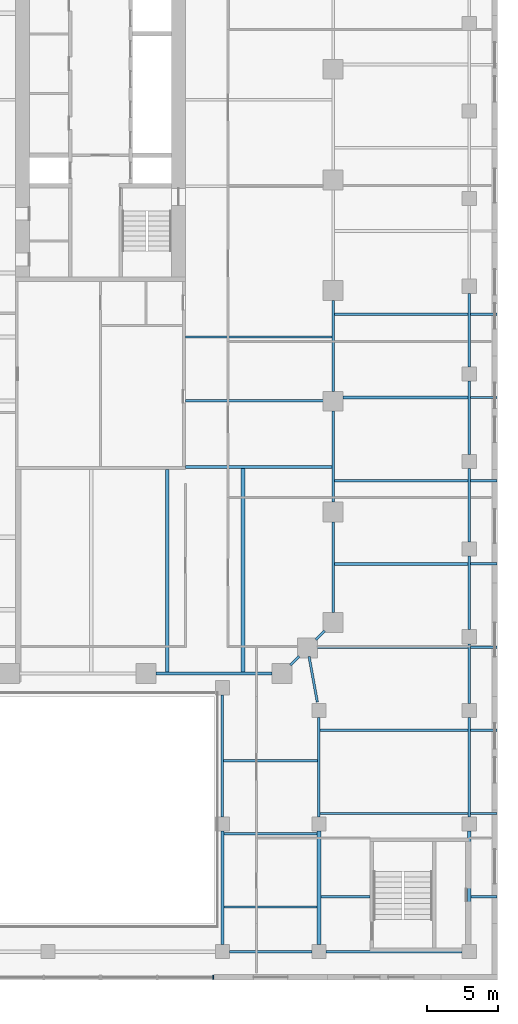
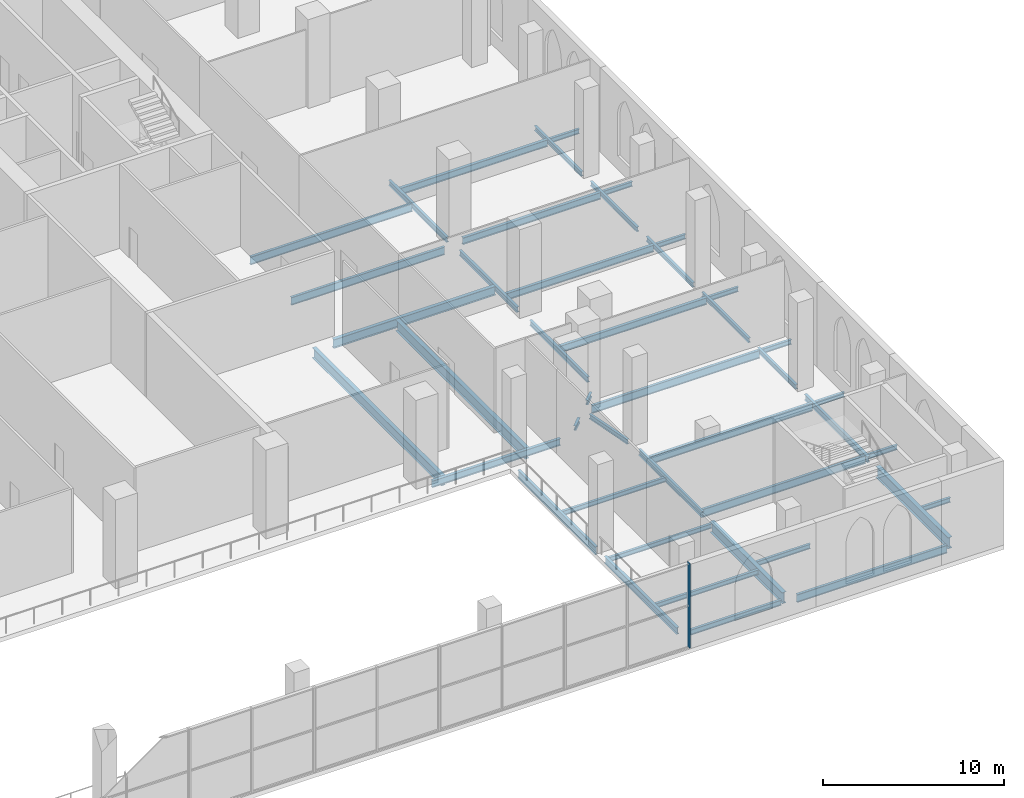
# One storey, part 5 of 21: 44 beams, 1 member, 1 element without a shape of its own.
"""IFC4 building model written with IfcOpenShell, lengths in metres."""

from ifc_helpers import new_model, si_unit, direction, frame, origin, origin_2d, place, context, subcontext, project, spatial, rectangle, i_section, extrude, material, material_profile, profile_set, type_object, element, aggregate, save


model = new_model("IFC4")

# Units and contexts
model_context = context("Model", 3, precision=1e-05, world=origin(), true_north=direction((0.0, 1.0)))
body_context = subcontext(model_context, "Body", "Model", "MODEL_VIEW")
ifc_project = project(units=[si_unit("LENGTHUNIT", "METRE"), si_unit("AREAUNIT", "SQUARE_METRE"), si_unit("VOLUMEUNIT", "CUBIC_METRE"), si_unit("PLANEANGLEUNIT", "RADIAN"), si_unit("MASSUNIT", "GRAM", prefix="KILO")], contexts=[model_context])

# Site, building, storey
site_placement = place(None, origin())
site = spatial("IfcSite", under=ifc_project, at=site_placement, CompositionType="ELEMENT")
building_placement = place(site_placement, origin())
building = spatial("IfcBuilding", under=site, at=building_placement, Name="Ogive Exchange Tower", CompositionType="ELEMENT")
storey_placement = place(building_placement, frame((0.0, 0.0, 8.0)))
storey = spatial("IfcBuildingStorey", under=building, at=storey_placement, Name="L01", CompositionType="ELEMENT", Elevation=8.0)

# Beams
ifc_material_1 = material(Name="Steel ASTM A992 Gr50", Category="steel")
ifc_material_profile_1 = material_profile(ifc_material_1, i_section(OverallWidth=0.1650390625, OverallDepth=0.31005859375, WebThickness=0.005859375, FlangeThickness=0.009765625, at=origin_2d()), Name="W310x38.7")
ifc_profile_set_1 = profile_set([ifc_material_profile_1], Name="Steel ASTM A992 Gr50")
beam_type_1 = type_object("IfcBeamType", Name="Floor beam W310x38.7", PredefinedType="JOIST", material=ifc_profile_set_1)
beam_1_placement = place(storey_placement, frame((31.533447265625, -46.13330078125, -0.455078125), z_axis=(1.0, 0.0, 0.0), x_axis=(0.0, 1.0, 0.0)))
element("IfcBeam", 1, at=beam_1_placement, inside=storey, type_object=beam_type_1, Name="Floor beam", PredefinedType="JOIST", context=body_context, shape_type="SweptSolid", body=[
    extrude(i_section(OverallWidth=0.1650390625, OverallDepth=0.31005859375, WebThickness=0.005859375, FlangeThickness=0.009765625, at=origin_2d()), origin(), (0.0, 0.0, 1.0), 3.466552734375),
])
beam_2_placement = place(storey_placement, frame((42.133544921875, -46.13330078125, -0.455078125), z_axis=(1.0, 0.0, 0.0), x_axis=(0.0, 1.0, 0.0)))
element("IfcBeam", 2, at=beam_2_placement, inside=storey, type_object=beam_type_1, Name="Floor beam", PredefinedType="JOIST", context=body_context, shape_type="SweptSolid", body=[
    extrude(i_section(OverallWidth=0.1650390625, OverallDepth=0.31005859375, WebThickness=0.005859375, FlangeThickness=0.009765625, at=origin_2d()), origin(), (0.0, 0.0, 1.0), 1.81640625),
])
for number, where, z_axis, x_axis, name in (
    (3, (42.089111328125, -40.2666015625, -0.455078125), (1.0, 0.0, 0.0), (0.0, 1.0, 0.0), "Floor beam"),
    (4, (42.089111328125, -34.39990234375, -0.455078125), (1.0, 0.0, 0.0), (0.0, 1.0, 0.0), "Floor beam"),
):
    element("IfcBeam", number, at=place(storey_placement, frame(where, z_axis=z_axis, x_axis=x_axis)), inside=storey, type_object=beam_type_1, Name=name, PredefinedType="JOIST", context=body_context, shape_type="SweptSolid", body=[
        extrude(i_section(OverallWidth=0.1650390625, OverallDepth=0.31005859375, WebThickness=0.005859375, FlangeThickness=0.009765625, at=origin_2d()), origin(), (0.0, 0.0, 1.0), 1.86083984375),
    ])
for number, where, z_axis, x_axis, name in (
    (5, (42.08251953125, -28.533203125, -0.455078125), (1.0, 0.0, 0.0), (0.0, 1.0, 0.0), "Floor beam"),
    (6, (42.08251953125, -22.666748046875, -0.455078125), (1.0, 0.0, 0.0), (0.0, 1.0, 0.0), "Floor beam"),
    (7, (42.08251953125, -16.800048828125, -0.455078125), (1.0, 0.0, 0.0), (0.0, 1.0, 0.0), "Floor beam"),
    (8, (42.08251953125, -10.933349609375, -0.455078125), (1.0, 0.0, 0.0), (0.0, 1.0, 0.0), "Floor beam"),
    (9, (42.08251953125, -5.066650390625, -0.455078125), (1.0, 0.0, 0.0), (0.0, 1.0, 0.0), "Floor beam"),
):
    element("IfcBeam", number, at=place(storey_placement, frame(where, z_axis=z_axis, x_axis=x_axis)), inside=storey, type_object=beam_type_1, Name=name, PredefinedType="JOIST", context=body_context, shape_type="SweptSolid", body=[
        extrude(i_section(OverallWidth=0.1650390625, OverallDepth=0.31005859375, WebThickness=0.005859375, FlangeThickness=0.009765625, at=origin_2d()), origin(), (0.0, 0.0, 1.0), 1.867431640625),
    ])
for number, where, z_axis, x_axis, name in (
    (10, (24.695556640625, -46.85009765625, -0.455078125), (1.0, 0.0, 0.0), (0.0, 1.0, 0.0), "Floor beam"),
    (11, (24.695556640625, -41.699951171875, -0.455078125), (1.0, 0.0, 0.0), (0.0, 1.0, 0.0), "Floor beam"),
):
    element("IfcBeam", number, at=place(storey_placement, frame(where, z_axis=z_axis, x_axis=x_axis)), inside=storey, type_object=beam_type_1, Name=name, PredefinedType="JOIST", context=body_context, shape_type="SweptSolid", body=[
        extrude(i_section(OverallWidth=0.1650390625, OverallDepth=0.31005859375, WebThickness=0.005859375, FlangeThickness=0.009765625, at=origin_2d()), origin(), (0.0, 0.0, 1.0), 6.571044921875),
    ])
beam_3_placement = place(storey_placement, frame((24.68359375, -36.550048828125, -0.455078125), z_axis=(1.0, 0.0, 0.0), x_axis=(0.0, 1.0, 0.0)))
element("IfcBeam", 12, at=beam_3_placement, inside=storey, type_object=beam_type_1, Name="Floor beam", PredefinedType="JOIST", context=body_context, shape_type="SweptSolid", body=[
    extrude(i_section(OverallWidth=0.1650390625, OverallDepth=0.31005859375, WebThickness=0.005859375, FlangeThickness=0.009765625, at=origin_2d()), origin(), (0.0, 0.0, 1.0), 6.62744140625),
])
ifc_material_profile_2 = material_profile(ifc_material_1, i_section(OverallWidth=0.19091796875, OverallDepth=0.45703125, WebThickness=0.009033203125, FlangeThickness=0.014404296875, at=origin_2d()), Name="W460x74")
ifc_profile_set_2 = profile_set([ifc_material_profile_2], Name="Steel ASTM A992 Gr50")
beam_type_2 = type_object("IfcBeamType", Name="Floor beam W460x74", PredefinedType="JOIST", material=ifc_profile_set_2)
for number, where, z_axis, x_axis, name in (
    (13, (32.485595703125, -22.666748046875, -0.528564453125), (1.0, 0.0, 0.0), (0.0, 1.0, 0.0), "Floor beam"),
    (14, (32.485595703125, -16.800048828125, -0.528564453125), (1.0, 0.0, 0.0), (0.0, 1.0, 0.0), "Floor beam"),
):
    element("IfcBeam", number, at=place(storey_placement, frame(where, z_axis=z_axis, x_axis=x_axis)), inside=storey, type_object=beam_type_2, Name=name, PredefinedType="JOIST", context=body_context, shape_type="SweptSolid", body=[
        extrude(i_section(OverallWidth=0.19091796875, OverallDepth=0.45703125, WebThickness=0.009033203125, FlangeThickness=0.014404296875, at=origin_2d()), origin(), (0.0, 0.0, 1.0), 9.431884765625),
    ])
beam_4_placement = place(storey_placement, frame((33.10009765625, -10.933349609375, -0.528564453125), z_axis=(1.0, 0.0, 0.0), x_axis=(0.0, 1.0, 0.0)))
element("IfcBeam", 15, at=beam_4_placement, inside=storey, type_object=beam_type_2, Name="Floor beam", PredefinedType="JOIST", context=body_context, shape_type="SweptSolid", body=[
    extrude(i_section(OverallWidth=0.19091796875, OverallDepth=0.45703125, WebThickness=0.009033203125, FlangeThickness=0.014404296875, at=origin_2d()), origin(), (0.0, 0.0, 1.0), 8.8173828125),
])
beam_5_placement = place(storey_placement, frame((32.485595703125, -5.066650390625, -0.528564453125), z_axis=(1.0, 0.0, 0.0), x_axis=(0.0, 1.0, 0.0)))
element("IfcBeam", 16, at=beam_5_placement, inside=storey, type_object=beam_type_2, Name="Floor beam", PredefinedType="JOIST", context=body_context, shape_type="SweptSolid", body=[
    extrude(i_section(OverallWidth=0.19091796875, OverallDepth=0.45703125, WebThickness=0.009033203125, FlangeThickness=0.014404296875, at=origin_2d()), origin(), (0.0, 0.0, 1.0), 9.431884765625),
])
ifc_material_profile_3 = material_profile(ifc_material_1, i_section(OverallWidth=0.1669921875, OverallDepth=0.535888671875, WebThickness=0.01025390625, FlangeThickness=0.0166015625, at=origin_2d()), Name="W530x85")
ifc_profile_set_3 = profile_set([ifc_material_profile_3], Name="Steel ASTM A992 Gr50")
beam_type_3 = type_object("IfcBeamType", Name="Floor beam W530x85", PredefinedType="JOIST", material=ifc_profile_set_3)
beam_6_placement = place(storey_placement, frame((22.0, -11.17822265625, -0.568115234375), z_axis=(1.0, 0.0, 0.0), x_axis=(0.0, 1.0, 0.0)))
element("IfcBeam", 17, at=beam_6_placement, inside=storey, type_object=beam_type_3, Name="Floor beam", PredefinedType="JOIST", context=body_context, shape_type="SweptSolid", body=[
    extrude(i_section(OverallWidth=0.1669921875, OverallDepth=0.535888671875, WebThickness=0.01025390625, FlangeThickness=0.0166015625, at=origin_2d()), origin(), (0.0, 0.0, 1.0), 9.800048828125),
])
beam_7_placement = place(storey_placement, frame((22.0, -6.666748046875, -0.568115234375), z_axis=(1.0, 0.0, 0.0), x_axis=(0.0, 1.0, 0.0)))
element("IfcBeam", 18, at=beam_7_placement, inside=storey, type_object=beam_type_3, Name="Floor beam", PredefinedType="JOIST", context=body_context, shape_type="SweptSolid", body=[
    extrude(i_section(OverallWidth=0.1669921875, OverallDepth=0.535888671875, WebThickness=0.01025390625, FlangeThickness=0.0166015625, at=origin_2d()), origin(), (0.0, 0.0, 1.0), 10.344970703125),
])
for number, where, z_axis, x_axis, name in (
    (19, (31.489013671875, -40.2666015625, -0.568115234375), (1.0, 0.0, 0.0), (0.0, 1.0, 0.0), "Floor beam"),
    (20, (31.489013671875, -34.39990234375, -0.568115234375), (1.0, 0.0, 0.0), (0.0, 1.0, 0.0), "Floor beam"),
):
    element("IfcBeam", number, at=place(storey_placement, frame(where, z_axis=z_axis, x_axis=x_axis)), inside=storey, type_object=beam_type_3, Name=name, PredefinedType="JOIST", context=body_context, shape_type="SweptSolid", body=[
        extrude(i_section(OverallWidth=0.1669921875, OverallDepth=0.535888671875, WebThickness=0.01025390625, FlangeThickness=0.0166015625, at=origin_2d()), origin(), (0.0, 0.0, 1.0), 10.421875),
    ])
beam_8_placement = place(storey_placement, frame((31.199951171875, -28.533203125, -0.568115234375), z_axis=(1.0, 0.0, 0.0), x_axis=(0.0, 1.0, 0.0)))
element("IfcBeam", 21, at=beam_8_placement, inside=storey, type_object=beam_type_3, Name="Floor beam", PredefinedType="JOIST", context=body_context, shape_type="SweptSolid", body=[
    extrude(i_section(OverallWidth=0.1669921875, OverallDepth=0.535888671875, WebThickness=0.01025390625, FlangeThickness=0.0166015625, at=origin_2d()), origin(), (0.0, 0.0, 1.0), 10.717529296875),
])
ifc_material_profile_4 = material_profile(ifc_material_1, i_section(OverallWidth=0.25390625, OverallDepth=0.68310546875, WebThickness=0.012451171875, FlangeThickness=0.018798828125, at=origin_2d()), Name="W690x140")
ifc_profile_set_4 = profile_set([ifc_material_profile_4], Name="Steel ASTM A992 Gr50")
beam_type_4 = type_object("IfcBeamType", Name="Floor beam W690x140", PredefinedType="JOIST", material=ifc_profile_set_4)
beam_9_placement = place(storey_placement, frame((20.699951171875, -30.304443359375, -0.6416015625), z_axis=(0.0, 1.0, 0.0), x_axis=(-1.0, 0.0, 0.0)))
element("IfcBeam", 22, at=beam_9_placement, inside=storey, type_object=beam_type_4, Name="Floor beam", PredefinedType="JOIST", context=body_context, shape_type="SweptSolid", body=[
    extrude(i_section(OverallWidth=0.25390625, OverallDepth=0.68310546875, WebThickness=0.012451171875, FlangeThickness=0.018798828125, at=origin_2d()), origin(), (0.0, 0.0, 1.0), 14.304443359375),
])
ifc_material_profile_5 = material_profile(ifc_material_1, i_section(OverallWidth=0.26708984375, OverallDepth=0.75390625, WebThickness=0.01318359375, FlangeThickness=0.01708984375, at=origin_2d()), Name="W760x147")
ifc_profile_set_5 = profile_set([ifc_material_profile_5], Name="Steel ASTM A992 Gr50")
beam_type_5 = type_object("IfcBeamType", Name="Floor beam W760x147", PredefinedType="JOIST", material=ifc_profile_set_5)
beam_10_placement = place(storey_placement, frame((26.050048828125, -30.304443359375, -0.677001953125), z_axis=(0.0, 1.0, 0.0), x_axis=(-1.0, 0.0, 0.0)))
element("IfcBeam", 23, at=beam_10_placement, inside=storey, type_object=beam_type_5, Name="Floor beam", PredefinedType="JOIST", context=body_context, shape_type="SweptSolid", body=[
    extrude(i_section(OverallWidth=0.26708984375, OverallDepth=0.75390625, WebThickness=0.01318359375, FlangeThickness=0.01708984375, at=origin_2d()), origin(), (0.0, 0.0, 1.0), 14.345458984375),
])

# Curtain wall, member
ifc_material_2 = material(Name="Anodised aluminium and clear glass", Category="aluminium")
curtain_wall_type = type_object("IfcCurtainWallType", Name="Galleria end wall glazing", PredefinedType="NOTDEFINED", material=ifc_material_2)
curtain_wall_placement = place(storey_placement, origin())
curtain_wall = element("IfcCurtainWall", 24, at=curtain_wall_placement, inside=storey, type_object=curtain_wall_type, Name="Galleria end wall glazing run GE9", PredefinedType="NOTDEFINED")
ifc_material_3 = material(Name="Anodised aluminium", Category="aluminium")
ifc_material_profile_6 = material_profile(ifc_material_3, rectangle(XDim=0.260009765625, YDim=0.080078125, at=origin_2d()), Name="AL 80x260")
ifc_profile_set_6 = profile_set([ifc_material_profile_6], Name="Anodised aluminium")
member_type = type_object("IfcMemberType", Name="Galleria end wall glazing mullion 80 x 260", PredefinedType="MULLION", material=ifc_profile_set_6)
member_placement = place(storey_placement, frame((23.9599609375, -51.800048828125, 0.0), z_axis=(0.0, 0.0, 1.0), x_axis=(0.0, 1.0, 0.0)))
member = element("IfcMember", 25, at=member_placement, type_object=member_type, Name="GE9 mullion 3", PredefinedType="MULLION", context=body_context, shape_type="SweptSolid", body=[
    extrude(rectangle(XDim=0.260009765625, YDim=0.080078125, at=origin_2d()), origin(), (0.0, 0.0, 1.0), 5.699951171875),
])
aggregate(curtain_wall, [member])

# Beams
ifc_material_profile_7 = material_profile(ifc_material_1, i_section(OverallWidth=0.1650390625, OverallDepth=0.31005859375, WebThickness=0.005859375, FlangeThickness=0.009765625, at=origin_2d()), Name="W310x38.7")
ifc_profile_set_7 = profile_set([ifc_material_profile_7], Name="Steel ASTM A992 Gr50")
beam_type_6 = type_object("IfcBeamType", Name="Girder W310x38.7", PredefinedType="BEAM", material=ifc_profile_set_7)
for number, where, z_axis, x_axis, name in (
    (26, (29.39404296875, -29.805908203125, -0.455078125), (0.707247821729, 0.706965712506, 0.0), (-0.706965712506, 0.707247821729, 0.0), "Girder"),
    (27, (31.194091796875, -28.006103515625, -0.455078125), (0.706965712506, 0.707247821729, 0.0), (-0.707247821729, 0.706965712506, 0.0), "Girder"),
):
    element("IfcBeam", number, at=place(storey_placement, frame(where, z_axis=z_axis, x_axis=x_axis)), inside=storey, type_object=beam_type_6, Name=name, PredefinedType="BEAM", context=body_context, shape_type="SweptSolid", body=[
        extrude(i_section(OverallWidth=0.1650390625, OverallDepth=0.31005859375, WebThickness=0.005859375, FlangeThickness=0.009765625, at=origin_2d()), origin(), (0.0, 0.0, 1.0), 0.865478515625),
    ])
beam_11_placement = place(storey_placement, frame((31.292724609375, -32.40966796875, -0.455078125), z_axis=(-0.178911700404, 0.983865134792, 0.0), x_axis=(-0.983865134792, -0.178911700404, 0.0)))
element("IfcBeam", 28, at=beam_11_placement, inside=storey, type_object=beam_type_6, Name="Girder", PredefinedType="BEAM", context=body_context, shape_type="SweptSolid", body=[
    extrude(i_section(OverallWidth=0.1650390625, OverallDepth=0.31005859375, WebThickness=0.005859375, FlangeThickness=0.009765625, at=origin_2d()), origin(), (0.0, 0.0, 1.0), 3.272216796875),
])
beam_12_placement = place(storey_placement, frame((42.0, -32.5, -0.455078125), z_axis=(0.0, 1.0, 0.0), x_axis=(-1.0, 0.0, 0.0)))
element("IfcBeam", 29, at=beam_12_placement, inside=storey, type_object=beam_type_6, Name="Girder", PredefinedType="BEAM", context=body_context, shape_type="SweptSolid", body=[
    extrude(i_section(OverallWidth=0.1650390625, OverallDepth=0.31005859375, WebThickness=0.005859375, FlangeThickness=0.009765625, at=origin_2d()), origin(), (0.0, 0.0, 1.0), 4.199951171875),
])
beam_13_placement = place(storey_placement, frame((42.0, -27.300048828125, -0.455078125), z_axis=(0.0, 1.0, 0.0), x_axis=(-1.0, 0.0, 0.0)))
element("IfcBeam", 30, at=beam_13_placement, inside=storey, type_object=beam_type_6, Name="Girder", PredefinedType="BEAM", context=body_context, shape_type="SweptSolid", body=[
    extrude(i_section(OverallWidth=0.1650390625, OverallDepth=0.31005859375, WebThickness=0.005859375, FlangeThickness=0.009765625, at=origin_2d()), origin(), (0.0, 0.0, 1.0), 5.179931640625),
])
beam_14_placement = place(storey_placement, frame((42.0, -21.1201171875, -0.455078125), z_axis=(0.0, 1.0, 0.0), x_axis=(-1.0, 0.0, 0.0)))
element("IfcBeam", 31, at=beam_14_placement, inside=storey, type_object=beam_type_6, Name="Girder", PredefinedType="BEAM", context=body_context, shape_type="SweptSolid", body=[
    extrude(i_section(OverallWidth=0.1650390625, OverallDepth=0.31005859375, WebThickness=0.005859375, FlangeThickness=0.009765625, at=origin_2d()), origin(), (0.0, 0.0, 1.0), 5.18017578125),
])
beam_15_placement = place(storey_placement, frame((42.0, -14.93994140625, -0.455078125), z_axis=(0.0, 1.0, 0.0), x_axis=(-1.0, 0.0, 0.0)))
element("IfcBeam", 32, at=beam_15_placement, inside=storey, type_object=beam_type_6, Name="Girder", PredefinedType="BEAM", context=body_context, shape_type="SweptSolid", body=[
    extrude(i_section(OverallWidth=0.1650390625, OverallDepth=0.31005859375, WebThickness=0.005859375, FlangeThickness=0.009765625, at=origin_2d()), origin(), (0.0, 0.0, 1.0), 5.169921875),
])
beam_16_placement = place(storey_placement, frame((42.0, -8.77001953125, -0.455078125), z_axis=(0.0, 1.0, 0.0), x_axis=(-1.0, 0.0, 0.0)))
element("IfcBeam", 33, at=beam_16_placement, inside=storey, type_object=beam_type_6, Name="Girder", PredefinedType="BEAM", context=body_context, shape_type="SweptSolid", body=[
    extrude(i_section(OverallWidth=0.1650390625, OverallDepth=0.31005859375, WebThickness=0.005859375, FlangeThickness=0.009765625, at=origin_2d()), origin(), (0.0, 0.0, 1.0), 5.179931640625),
])
ifc_material_profile_8 = material_profile(ifc_material_1, i_section(OverallWidth=0.1708984375, OverallDepth=0.35595703125, WebThickness=0.00732421875, FlangeThickness=0.01171875, at=origin_2d()), Name="W360x51")
ifc_profile_set_8 = profile_set([ifc_material_profile_8], Name="Steel ASTM A992 Gr50")
beam_type_7 = type_object("IfcBeamType", Name="Girder W360x51", PredefinedType="BEAM", material=ifc_profile_set_8)
for number, where, z_axis, x_axis, name in (
    (34, (32.39990234375, -26.10009765625, -0.47802734375), (0.0, 1.0, 0.0), (-1.0, 0.0, 0.0), "Girder"),
    (35, (32.39990234375, -18.300048828125, -0.47802734375), (0.0, 1.0, 0.0), (-1.0, 0.0, 0.0), "Girder"),
):
    element("IfcBeam", number, at=place(storey_placement, frame(where, z_axis=z_axis, x_axis=x_axis)), inside=storey, type_object=beam_type_7, Name=name, PredefinedType="BEAM", context=body_context, shape_type="SweptSolid", body=[
        extrude(i_section(OverallWidth=0.1708984375, OverallDepth=0.35595703125, WebThickness=0.00732421875, FlangeThickness=0.01171875, at=origin_2d()), origin(), (0.0, 0.0, 1.0), 6.400146484375),
    ])
beam_17_placement = place(storey_placement, frame((32.39990234375, -10.5, -0.47802734375), z_axis=(0.0, 1.0, 0.0), x_axis=(-1.0, 0.0, 0.0)))
element("IfcBeam", 36, at=beam_17_placement, inside=storey, type_object=beam_type_7, Name="Girder", PredefinedType="BEAM", context=body_context, shape_type="SweptSolid", body=[
    extrude(i_section(OverallWidth=0.1708984375, OverallDepth=0.35595703125, WebThickness=0.00732421875, FlangeThickness=0.01171875, at=origin_2d()), origin(), (0.0, 0.0, 1.0), 6.39990234375),
])
beam_18_placement = place(storey_placement, frame((25.10009765625, -50.0, -0.47802734375), z_axis=(1.0, 0.0, 0.0), x_axis=(0.0, 1.0, 0.0)))
element("IfcBeam", 37, at=beam_18_placement, inside=storey, type_object=beam_type_7, Name="Girder", PredefinedType="BEAM", context=body_context, shape_type="SweptSolid", body=[
    extrude(i_section(OverallWidth=0.1708984375, OverallDepth=0.35595703125, WebThickness=0.00732421875, FlangeThickness=0.01171875, at=origin_2d()), origin(), (0.0, 0.0, 1.0), 5.7998046875),
])
ifc_material_profile_9 = material_profile(ifc_material_1, i_section(OverallWidth=0.177978515625, OverallDepth=0.406005859375, WebThickness=0.0078125, FlangeThickness=0.0126953125, at=origin_2d()), Name="W410x60")
ifc_profile_set_9 = profile_set([ifc_material_profile_9], Name="Steel ASTM A992 Gr50")
beam_type_8 = type_object("IfcBeamType", Name="Girder W410x60", PredefinedType="BEAM", material=ifc_profile_set_9)
for number, where, z_axis, x_axis, name in (
    (38, (31.39990234375, -40.5, -0.5029296875), (0.0, 1.0, 0.0), (-1.0, 0.0, 0.0), "Girder"),
    (39, (42.0, -40.5, -0.5029296875), (0.0, 1.0, 0.0), (-1.0, 0.0, 0.0), "Girder"),
):
    element("IfcBeam", number, at=place(storey_placement, frame(where, z_axis=z_axis, x_axis=x_axis)), inside=storey, type_object=beam_type_8, Name=name, PredefinedType="BEAM", context=body_context, shape_type="SweptSolid", body=[
        extrude(i_section(OverallWidth=0.177978515625, OverallDepth=0.406005859375, WebThickness=0.0078125, FlangeThickness=0.0126953125, at=origin_2d()), origin(), (0.0, 0.0, 1.0), 7.0),
    ])
ifc_material_profile_10 = material_profile(ifc_material_1, i_section(OverallWidth=0.19091796875, OverallDepth=0.45703125, WebThickness=0.009033203125, FlangeThickness=0.014404296875, at=origin_2d()), Name="W460x74")
ifc_profile_set_10 = profile_set([ifc_material_profile_10], Name="Steel ASTM A992 Gr50")
beam_type_9 = type_object("IfcBeamType", Name="Girder W460x74", PredefinedType="BEAM", material=ifc_profile_set_10)
beam_19_placement = place(storey_placement, frame((19.89990234375, -30.39990234375, -0.528564453125), z_axis=(1.0, 0.0, 0.0), x_axis=(0.0, 1.0, 0.0)))
element("IfcBeam", 40, at=beam_19_placement, inside=storey, type_object=beam_type_9, Name="Girder", PredefinedType="BEAM", context=body_context, shape_type="SweptSolid", body=[
    extrude(i_section(OverallWidth=0.19091796875, OverallDepth=0.45703125, WebThickness=0.009033203125, FlangeThickness=0.014404296875, at=origin_2d()), origin(), (0.0, 0.0, 1.0), 8.2001953125),
])
beam_20_placement = place(storey_placement, frame((24.60009765625, -49.5, -0.528564453125), z_axis=(0.0, 1.0, 0.0), x_axis=(-1.0, 0.0, 0.0)))
element("IfcBeam", 41, at=beam_20_placement, inside=storey, type_object=beam_type_9, Name="Girder", PredefinedType="BEAM", context=body_context, shape_type="SweptSolid", body=[
    extrude(i_section(OverallWidth=0.19091796875, OverallDepth=0.45703125, WebThickness=0.009033203125, FlangeThickness=0.014404296875, at=origin_2d()), origin(), (0.0, 0.0, 1.0), 8.0),
])
ifc_material_profile_11 = material_profile(ifc_material_1, i_section(OverallWidth=0.1669921875, OverallDepth=0.535888671875, WebThickness=0.01025390625, FlangeThickness=0.0166015625, at=origin_2d()), Name="W530x85")
ifc_profile_set_11 = profile_set([ifc_material_profile_11], Name="Steel ASTM A992 Gr50")
beam_type_10 = type_object("IfcBeamType", Name="Girder W530x85", PredefinedType="BEAM", material=ifc_profile_set_11)
beam_21_placement = place(storey_placement, frame((24.60009765625, -40.5, -0.568115234375), z_axis=(0.0, 1.0, 0.0), x_axis=(-1.0, 0.0, 0.0)))
element("IfcBeam", 42, at=beam_21_placement, inside=storey, type_object=beam_type_10, Name="Girder", PredefinedType="BEAM", context=body_context, shape_type="SweptSolid", body=[
    extrude(i_section(OverallWidth=0.1669921875, OverallDepth=0.535888671875, WebThickness=0.01025390625, FlangeThickness=0.0166015625, at=origin_2d()), origin(), (0.0, 0.0, 1.0), 8.60009765625),
])
beam_22_placement = place(storey_placement, frame((31.89990234375, -50.0, -0.568115234375), z_axis=(1.0, 0.0, 0.0), x_axis=(0.0, 1.0, 0.0)))
element("IfcBeam", 43, at=beam_22_placement, inside=storey, type_object=beam_type_10, Name="Girder", PredefinedType="BEAM", context=body_context, shape_type="SweptSolid", body=[
    extrude(i_section(OverallWidth=0.1669921875, OverallDepth=0.535888671875, WebThickness=0.01025390625, FlangeThickness=0.0166015625, at=origin_2d()), origin(), (0.0, 0.0, 1.0), 9.60009765625),
])
ifc_material_profile_12 = material_profile(ifc_material_1, i_section(OverallWidth=0.22802734375, OverallDepth=0.60205078125, WebThickness=0.010498046875, FlangeThickness=0.014892578125, at=origin_2d()), Name="W610x101")
ifc_profile_set_12 = profile_set([ifc_material_profile_12], Name="Steel ASTM A992 Gr50")
beam_type_11 = type_object("IfcBeamType", Name="Girder W610x101", PredefinedType="BEAM", material=ifc_profile_set_12)
beam_23_placement = place(storey_placement, frame((22.0, -15.844970703125, -0.60107421875), z_axis=(1.0, 0.0, 0.0), x_axis=(0.0, 1.0, 0.0)))
element("IfcBeam", 44, at=beam_23_placement, inside=storey, type_object=beam_type_11, Name="Header girder", PredefinedType="BEAM", context=body_context, shape_type="SweptSolid", body=[
    extrude(i_section(OverallWidth=0.22802734375, OverallDepth=0.60205078125, WebThickness=0.010498046875, FlangeThickness=0.014892578125, at=origin_2d()), origin(), (0.0, 0.0, 1.0), 10.344970703125),
])
ifc_material_profile_13 = material_profile(ifc_material_1, i_section(OverallWidth=0.26708984375, OverallDepth=0.75390625, WebThickness=0.01318359375, FlangeThickness=0.01708984375, at=origin_2d()), Name="W760x147")
ifc_profile_set_13 = profile_set([ifc_material_profile_13], Name="Steel ASTM A992 Gr50")
beam_type_12 = type_object("IfcBeamType", Name="Girder W760x147", PredefinedType="BEAM", material=ifc_profile_set_13)
for number, where, z_axis, x_axis, name in (
    (45, (31.39990234375, -49.5, -0.677001953125), (0.0, 1.0, 0.0), (-1.0, 0.0, 0.0), "Girder"),
    (46, (42.0, -49.5, -0.677001953125), (0.0, 1.0, 0.0), (-1.0, 0.0, 0.0), "Girder"),
):
    element("IfcBeam", number, at=place(storey_placement, frame(where, z_axis=z_axis, x_axis=x_axis)), inside=storey, type_object=beam_type_12, Name=name, PredefinedType="BEAM", context=body_context, shape_type="SweptSolid", body=[
        extrude(i_section(OverallWidth=0.26708984375, OverallDepth=0.75390625, WebThickness=0.01318359375, FlangeThickness=0.01708984375, at=origin_2d()), origin(), (0.0, 0.0, 1.0), 8.0),
    ])

save(model, "model.ifc")
